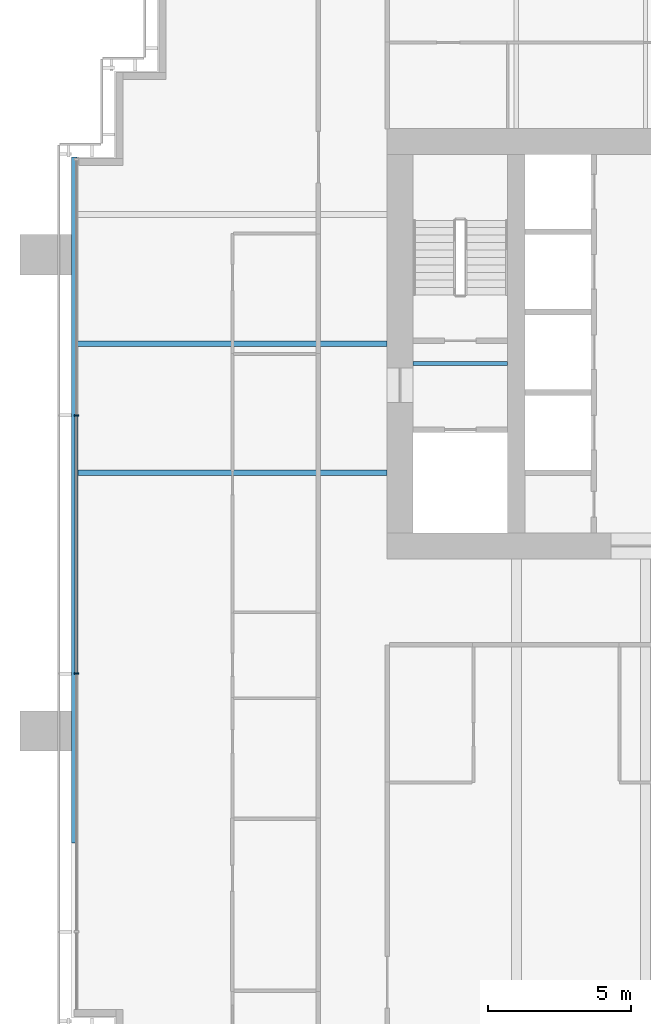
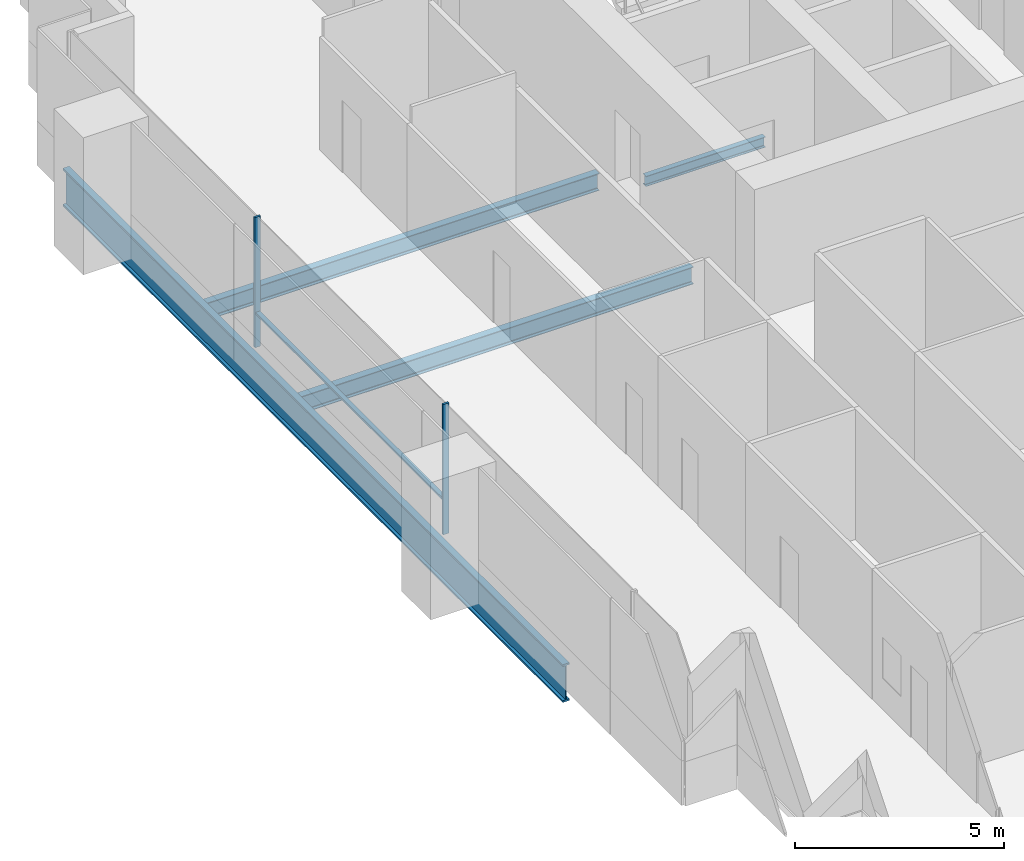
# One storey, part 4 of 17: 4 beams, 3 members, 1 element without a shape of its own.
"""IFC4 building model written with IfcOpenShell, lengths in metres."""

from ifc_helpers import new_model, si_unit, direction, frame, origin, origin_2d, place, context, subcontext, project, spatial, rectangle, i_section, extrude, material, material_profile, profile_set, type_object, element, aggregate, save


model = new_model("IFC4")

# Units and contexts
model_context = context("Model", 3, precision=1e-05, world=origin(), true_north=direction((0.0, 1.0)))
body_context = subcontext(model_context, "Body", "Model", "MODEL_VIEW")
ifc_project = project(units=[si_unit("LENGTHUNIT", "METRE"), si_unit("AREAUNIT", "SQUARE_METRE"), si_unit("VOLUMEUNIT", "CUBIC_METRE"), si_unit("PLANEANGLEUNIT", "RADIAN"), si_unit("MASSUNIT", "GRAM", prefix="KILO")], contexts=[model_context])

# Site, building, storey
site_placement = place(None, origin())
site = spatial("IfcSite", under=ifc_project, at=site_placement, CompositionType="ELEMENT")
building_placement = place(site_placement, origin())
building = spatial("IfcBuilding", under=site, at=building_placement, Name="Rattan Terrace Tower", CompositionType="ELEMENT")
storey_placement = place(building_placement, frame((0.0, 0.0, 146.10009765625)))
storey = spatial("IfcBuildingStorey", under=building, at=storey_placement, Name="L33", CompositionType="ELEMENT", Elevation=146.10009765625)

# Curtain wall, members
ifc_material_1 = material(Name="Aluminium and glass", Category="aluminium")
curtain_wall_type = type_object("IfcCurtainWallType", Name="Facade Unitised Curtain Wall", PredefinedType="NOTDEFINED", material=ifc_material_1)
curtain_wall_placement = place(storey_placement, origin())
curtain_wall = element("IfcCurtainWall", 1, at=curtain_wall_placement, inside=storey, type_object=curtain_wall_type, Name="Curtain wall L33-3", PredefinedType="NOTDEFINED")
ifc_material_2 = material(Name="Aluminium", Category="aluminium")
ifc_material_profile_1 = material_profile(ifc_material_2, rectangle(XDim=0.06005859375, YDim=0.159912109375, at=origin_2d()), Name="Aluminium 60x160")
ifc_profile_set_1 = profile_set([ifc_material_profile_1], Name="Aluminium")
member_type_1 = type_object("IfcMemberType", Name="Facade CW Mullion 60x160", PredefinedType="MULLION", material=ifc_profile_set_1)
member_1_placement = place(storey_placement, frame((-28.830078125, -2.5, 0.0), z_axis=(0.0, 0.0, 1.0), x_axis=(0.0, -1.0, 0.0)))
member_1 = element("IfcMember", 2, at=member_1_placement, type_object=member_type_1, Name="Mullion cwl-L33-003.2", PredefinedType="MULLION", context=body_context, shape_type="SweptSolid", body=[
    extrude(rectangle(XDim=0.06005859375, YDim=0.159912109375, at=origin_2d()), origin(), (0.0, 0.0, 1.0), 3.7998046875),
])
member_2_placement = place(storey_placement, frame((-28.830078125, -11.5, 0.0), z_axis=(0.0, 0.0, 1.0), x_axis=(0.0, -1.0, 0.0)))
member_2 = element("IfcMember", 3, at=member_2_placement, type_object=member_type_1, Name="Mullion cwl-L33-003.3", PredefinedType="MULLION", context=body_context, shape_type="SweptSolid", body=[
    extrude(rectangle(XDim=0.06005859375, YDim=0.159912109375, at=origin_2d()), origin(), (0.0, 0.0, 1.0), 3.7998046875),
])
ifc_material_3 = material(Name="Aluminium", Category="aluminium")
ifc_material_profile_2 = material_profile(ifc_material_3, rectangle(XDim=0.1201171875, YDim=0.06005859375, at=origin_2d()), Name="Aluminium 120x60")
ifc_profile_set_2 = profile_set([ifc_material_profile_2], Name="Aluminium")
member_type_2 = type_object("IfcMemberType", Name="Facade CW Transom 120x60", PredefinedType="USERDEFINED", material=ifc_profile_set_2)
member_3_placement = place(storey_placement, frame((-28.830078125, -2.530029296875, 1.0), z_axis=(0.0, -1.0, 0.0), x_axis=(1.0, 0.0, 0.0)))
member_3 = element("IfcMember", 4, at=member_3_placement, type_object=member_type_2, Name="Transom cwl-L33-003.2", ObjectType="TRANSOM", PredefinedType="USERDEFINED", context=body_context, shape_type="SweptSolid", body=[
    extrude(rectangle(XDim=0.1201171875, YDim=0.06005859375, at=origin_2d()), origin(), (0.0, 0.0, 1.0), 8.93994140625),
])
aggregate(curtain_wall, [member_1, member_2, member_3])

# Beams
ifc_material_4 = material(Name="Steel S460", Category="steel")
ifc_material_profile_3 = material_profile(ifc_material_4, i_section(OverallWidth=0.179931640625, OverallDepth=1.10009765625, WebThickness=0.01611328125, FlangeThickness=0.050048828125, at=origin_2d()), Name="PG 1100x180-16-50")
ifc_profile_set_3 = profile_set([ifc_material_profile_3], Name="Steel S460")
beam_type_1 = type_object("IfcBeamType", Name="Frame edge girder PG 1100x180-16-50", PredefinedType="SPANDREL", material=ifc_profile_set_3)
beam_1_placement = place(storey_placement, frame((-28.909912109375, -17.39990234375, -0.75), z_axis=(0.0, 1.0, 0.0), x_axis=(-1.0, 0.0, 0.0)))
element("IfcBeam", 5, at=beam_1_placement, inside=storey, type_object=beam_type_1, Name="gdr-L33-003", PredefinedType="SPANDREL", context=body_context, shape_type="SweptSolid", body=[
    extrude(i_section(OverallWidth=0.179931640625, OverallDepth=1.10009765625, WebThickness=0.01611328125, FlangeThickness=0.050048828125, at=origin_2d()), origin(), (0.0, 0.0, 1.0), 23.89990234375),
])
ifc_material_5 = material(Name="Steel S355", Category="steel")
ifc_material_profile_4 = material_profile(ifc_material_5, i_section(OverallWidth=0.14990234375, OverallDepth=0.300048828125, WebThickness=0.007080078125, FlangeThickness=0.0107421875, FilletRadius=0.014892578125, at=origin_2d()), Name="IPE 300")
ifc_profile_set_4 = profile_set([ifc_material_profile_4], Name="Steel S355")
beam_type_2 = type_object("IfcBeamType", Name="Frame floor beam IPE 300", PredefinedType="JOIST", material=ifc_profile_set_4)
beam_2_placement = place(storey_placement, frame((-17.10009765625, -0.695068359375, -0.35009765625), z_axis=(1.0, 0.0, 0.0), x_axis=(0.0, 1.0, 0.0)))
element("IfcBeam", 6, at=beam_2_placement, inside=storey, type_object=beam_type_2, Name="bm-L33-001", PredefinedType="JOIST", context=body_context, shape_type="SweptSolid", body=[
    extrude(i_section(OverallWidth=0.14990234375, OverallDepth=0.300048828125, WebThickness=0.007080078125, FlangeThickness=0.0107421875, FilletRadius=0.014892578125, at=origin_2d()), origin(), (0.0, 0.0, 1.0), 3.300048828125),
])
ifc_material_6 = material(Name="Steel S355", Category="steel")
ifc_material_profile_5 = material_profile(ifc_material_6, i_section(OverallWidth=0.199951171875, OverallDepth=0.5, WebThickness=0.01025390625, FlangeThickness=0.01611328125, FilletRadius=0.02099609375, at=origin_2d()), Name="IPE 500")
ifc_profile_set_5 = profile_set([ifc_material_profile_5], Name="Steel S355")
beam_type_3 = type_object("IfcBeamType", Name="Frame floor beam IPE 500", PredefinedType="JOIST", material=ifc_profile_set_5)
for number, where, z_axis, x_axis, name in (
    (7, (-28.820068359375, -4.5, -0.4501953125), (1.0, 0.0, 0.0), (0.0, 1.0, 0.0), "bm-L33-010"),
    (8, (-28.820068359375, 0.0, -0.4501953125), (1.0, 0.0, 0.0), (0.0, 1.0, 0.0), "bm-L33-012"),
):
    element("IfcBeam", number, at=place(storey_placement, frame(where, z_axis=z_axis, x_axis=x_axis)), inside=storey, type_object=beam_type_3, Name=name, PredefinedType="JOIST", context=body_context, shape_type="SweptSolid", body=[
        extrude(i_section(OverallWidth=0.199951171875, OverallDepth=0.5, WebThickness=0.01025390625, FlangeThickness=0.01611328125, FilletRadius=0.02099609375, at=origin_2d()), origin(), (0.0, 0.0, 1.0), 10.820068359375),
    ])

save(model, "model.ifc")
